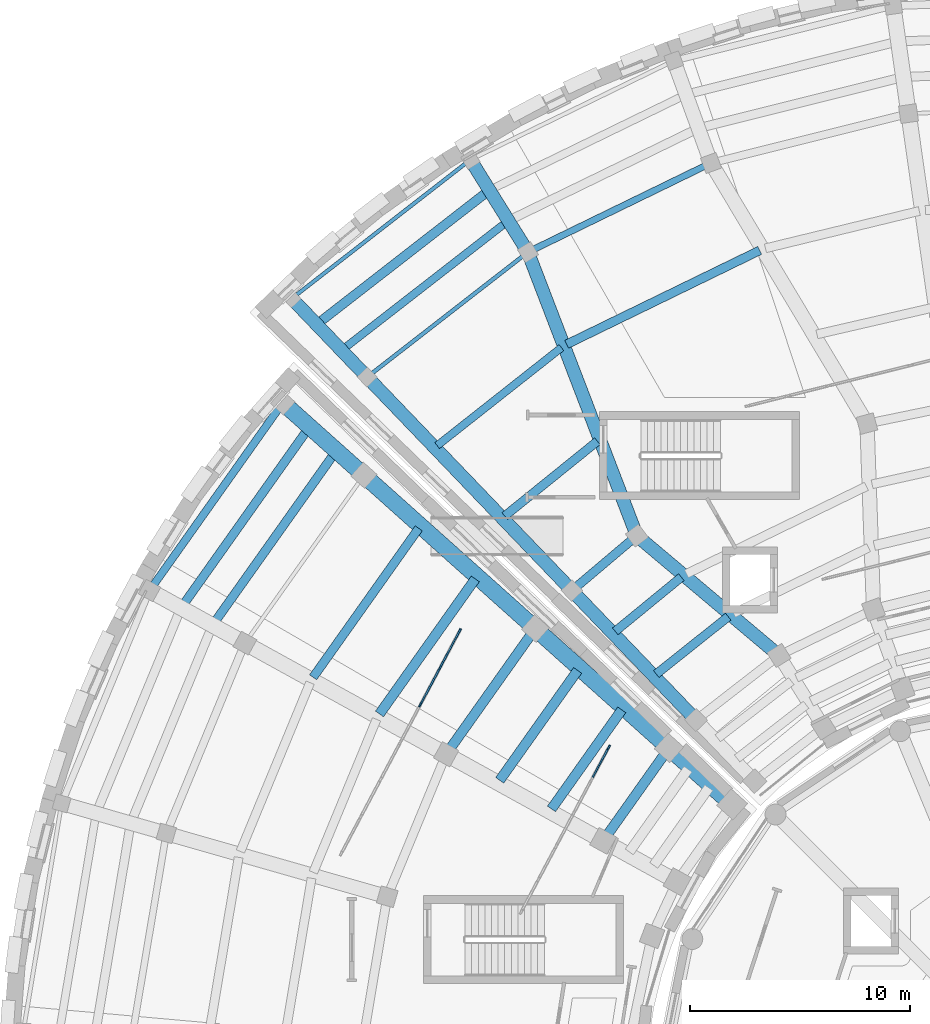
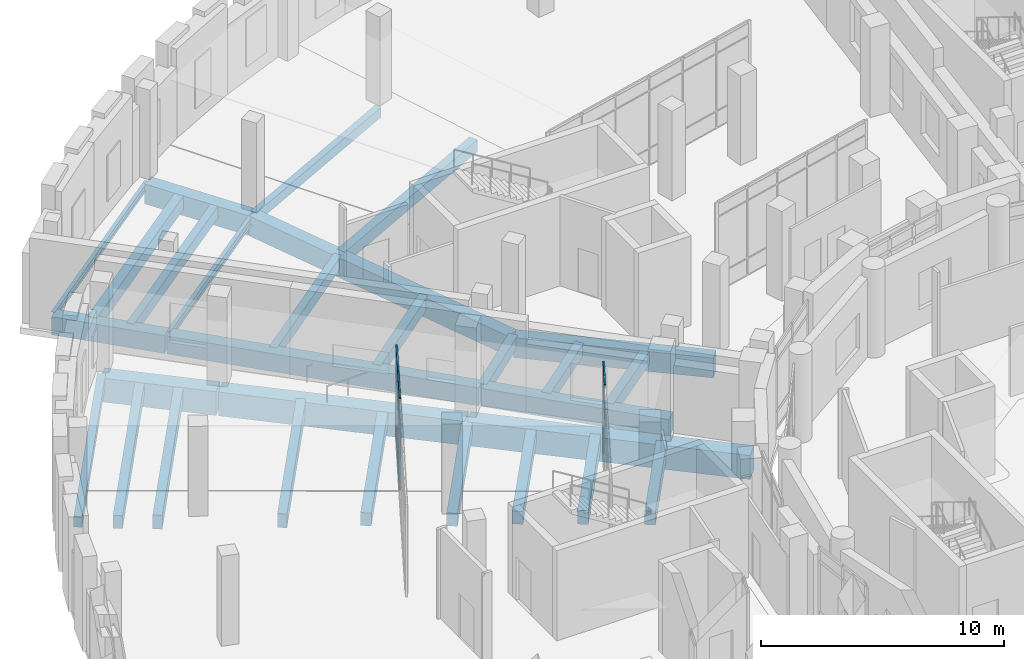
# One storey, part 28 of 89: 30 beams, 13 members, 2 elements without a shape of their own.
"""IFC4 building model written with IfcOpenShell, lengths in metres."""

from ifc_helpers import new_model, si_unit, direction, frame, origin, origin_2d, place, context, subcontext, project, spatial, rectangle, i_section, extrude, material, material_profile, profile_set, type_object, element, aggregate, save


model = new_model("IFC4")

# Units and contexts
model_context = context("Model", 3, precision=1e-05, world=origin(), true_north=direction((0.0, 1.0)))
body_context = subcontext(model_context, "Body", "Model", "MODEL_VIEW")
ifc_project = project(units=[si_unit("LENGTHUNIT", "METRE"), si_unit("AREAUNIT", "SQUARE_METRE"), si_unit("VOLUMEUNIT", "CUBIC_METRE"), si_unit("PLANEANGLEUNIT", "RADIAN"), si_unit("MASSUNIT", "GRAM", prefix="KILO")], contexts=[model_context])

# Site, building, storey
site_placement = place(None, origin())
site = spatial("IfcSite", under=ifc_project, at=site_placement, CompositionType="ELEMENT")
building_placement = place(site_placement, origin())
building = spatial("IfcBuilding", under=site, at=building_placement, Name="Soyqirgoq Riverine Aquarium", CompositionType="ELEMENT")
storey_placement = place(building_placement, frame((0.0, 0.0, 5.39990234375)))
storey = spatial("IfcBuildingStorey", under=building, at=storey_placement, Name="L02", CompositionType="ELEMENT", Elevation=5.39990234375)

# Beams
ifc_material_1 = material(Name="Concrete C40/50", Category="concrete")
ifc_material_profile_1 = material_profile(ifc_material_1, rectangle(XDim=0.35009765625, YDim=0.60009765625, at=origin_2d()), Name="RC 350x600")
ifc_profile_set_1 = profile_set([ifc_material_profile_1], Name="Concrete C40/50")
beam_type_1 = type_object("IfcBeamType", Name="Beam_RC_350x600", PredefinedType="JOIST", material=ifc_profile_set_1)
beam_1_placement = place(storey_placement, frame((33.928466796875, 90.56591796875, -0.599853515625), z_axis=(-0.785202231004, -0.619239417694, 0.0), x_axis=(0.619239417694, -0.785202231004, 0.0)))
element("IfcBeam", 1, at=beam_1_placement, inside=storey, type_object=beam_type_1, Name="V4 L02 Secondary Floor Joist 0589", PredefinedType="JOIST", context=body_context, shape_type="SweptSolid", body=[
    extrude(rectangle(XDim=0.35009765625, YDim=0.60009765625, at=origin_2d()), origin(), (0.0, 0.0, 1.0), 7.1962890625),
])
beam_2_placement = place(storey_placement, frame((31.4052734375, 96.24951171875, -0.599853515625), z_axis=(-0.789610111246, -0.6136088919, 0.0), x_axis=(0.6136088919, -0.789610111246, 0.0)))
element("IfcBeam", 2, at=beam_2_placement, inside=storey, type_object=beam_type_1, Name="V4 L02 Secondary Floor Joist 0600", PredefinedType="JOIST", context=body_context, shape_type="SweptSolid", body=[
    extrude(rectangle(XDim=0.35009765625, YDim=0.60009765625, at=origin_2d()), origin(), (0.0, 0.0, 1.0), 9.325927734375),
])
ifc_material_2 = material(Name="Concrete C40/50", Category="concrete")
ifc_material_profile_2 = material_profile(ifc_material_2, rectangle(XDim=0.39990234375, YDim=0.60009765625, at=origin_2d()), Name="RC 400x600")
ifc_profile_set_2 = profile_set([ifc_material_profile_2], Name="Concrete C40/50")
beam_type_2 = type_object("IfcBeamType", Name="Beam_RC_400x600", PredefinedType="JOIST", material=ifc_profile_set_2)
beam_3_placement = place(storey_placement, frame((39.37939453125, 80.12939453125, -0.599853515625), z_axis=(-0.773357757344, -0.633969856662, 0.0), x_axis=(0.633969856662, -0.773357757344, 0.0)))
element("IfcBeam", 3, at=beam_3_placement, inside=storey, type_object=beam_type_2, Name="V4 L02 Secondary Floor Joist 0579", PredefinedType="JOIST", context=body_context, shape_type="SweptSolid", body=[
    extrude(rectangle(XDim=0.39990234375, YDim=0.60009765625, at=origin_2d()), origin(), (0.0, 0.0, 1.0), 3.884765625),
])
beam_4_placement = place(storey_placement, frame((37.31591796875, 81.983154296875, -0.599853515625), z_axis=(-0.763221409659, -0.646137044162, 0.0), x_axis=(0.646137044162, -0.763221409659, 0.0)))
element("IfcBeam", 4, at=beam_4_placement, inside=storey, type_object=beam_type_2, Name="V4 L02 Wedge Chord Beam 0582", PredefinedType="JOIST", context=body_context, shape_type="SweptSolid", body=[
    extrude(rectangle(XDim=0.39990234375, YDim=0.60009765625, at=origin_2d()), origin(), (0.0, 0.0, 1.0), 3.763671875),
])
beam_5_placement = place(storey_placement, frame((42.94287109375, 94.98583984375, -0.599853515625), z_axis=(-0.899181906839, -0.437575020326, 0.0), x_axis=(0.437575020326, -0.899181906839, 0.0)))
element("IfcBeam", 5, at=beam_5_placement, inside=storey, type_object=beam_type_2, Name="V4 L02 Secondary Floor Joist 0587", PredefinedType="JOIST", context=body_context, shape_type="SweptSolid", body=[
    extrude(rectangle(XDim=0.39990234375, YDim=0.60009765625, at=origin_2d()), origin(), (0.0, 0.0, 1.0), 9.762939453125),
])
beam_6_placement = place(storey_placement, frame((35.5625, 86.310302734375, -0.599853515625), z_axis=(-0.777984399039, -0.628283594288, 0.0), x_axis=(0.628283594288, -0.777984399039, 0.0)))
element("IfcBeam", 6, at=beam_6_placement, inside=storey, type_object=beam_type_2, Name="V4 L02 Secondary Floor Joist 0588", PredefinedType="JOIST", context=body_context, shape_type="SweptSolid", body=[
    extrude(rectangle(XDim=0.39990234375, YDim=0.60009765625, at=origin_2d()), origin(), (0.0, 0.0, 1.0), 5.416015625),
])
ifc_material_3 = material(Name="Concrete C40/50", Category="concrete")
ifc_material_profile_3 = material_profile(ifc_material_3, rectangle(XDim=0.39990234375, YDim=0.64990234375, at=origin_2d()), Name="RC 400x650")
ifc_profile_set_3 = profile_set([ifc_material_profile_3], Name="Concrete C40/50")
beam_type_3 = type_object("IfcBeamType", Name="Beam_RC_400x650", PredefinedType="BEAM", material=ifc_profile_set_3)
beam_7_placement = place(storey_placement, frame((22.3974609375, 86.857421875, -0.625), z_axis=(-0.578552362778, -0.815645243671, 0.0), x_axis=(0.815645243671, -0.578552362778, 0.0)))
element("IfcBeam", 7, at=beam_7_placement, inside=storey, type_object=beam_type_3, Name="V3 L02 Secondary Floor Joist 0401", PredefinedType="BEAM", context=body_context, shape_type="SweptSolid", body=[
    extrude(rectangle(XDim=0.39990234375, YDim=0.64990234375, at=origin_2d()), origin(), (0.0, 0.0, 1.0), 9.822509765625),
])
beam_8_placement = place(storey_placement, frame((41.51171875, 78.33349609375, -0.625), z_axis=(-0.78199960061, -0.623278930051, 0.0), x_axis=(0.623278930051, -0.78199960061, 0.0)))
element("IfcBeam", 8, at=beam_8_placement, inside=storey, type_object=beam_type_3, Name="V4 L02 Secondary Floor Joist 0578", PredefinedType="BEAM", context=body_context, shape_type="SweptSolid", body=[
    extrude(rectangle(XDim=0.39990234375, YDim=0.64990234375, at=origin_2d()), origin(), (0.0, 0.0, 1.0), 4.18701171875),
])
ifc_material_4 = material(Name="Concrete C40/50", Category="concrete")
ifc_material_profile_4 = material_profile(ifc_material_4, rectangle(XDim=0.39990234375, YDim=0.699951171875, at=origin_2d()), Name="RC 400x700")
ifc_profile_set_4 = profile_set([ifc_material_profile_4], Name="Concrete C40/50")
beam_type_4 = type_object("IfcBeamType", Name="Beam_RC_400x700", PredefinedType="BEAM", material=ifc_profile_set_4)
beam_9_placement = place(storey_placement, frame((27.440673828125, 82.348388671875, -0.64990234375), z_axis=(-0.57857035961, -0.815632477885, 0.0), x_axis=(0.815632477885, -0.57857035961, 0.0)))
element("IfcBeam", 9, at=beam_9_placement, inside=storey, type_object=beam_type_4, Name="V3 L02 Secondary Floor Joist 0389", PredefinedType="BEAM", context=body_context, shape_type="SweptSolid", body=[
    extrude(rectangle(XDim=0.39990234375, YDim=0.699951171875, at=origin_2d()), origin(), (0.0, 0.0, 1.0), 8.302734375),
])
beam_10_placement = place(storey_placement, frame((23.615234375, 85.768798828125, -0.64990234375), z_axis=(-0.578563092145, -0.815637633026, 0.0), x_axis=(0.815637633026, -0.578563092145, 0.0)))
element("IfcBeam", 10, at=beam_10_placement, inside=storey, type_object=beam_type_4, Name="V3 L02 Secondary Floor Joist 0400", PredefinedType="BEAM", context=body_context, shape_type="SweptSolid", body=[
    extrude(rectangle(XDim=0.39990234375, YDim=0.699951171875, at=origin_2d()), origin(), (0.0, 0.0, 1.0), 9.45556640625),
])
ifc_material_5 = material(Name="Concrete C40/50", Category="concrete")
ifc_material_profile_5 = material_profile(ifc_material_5, rectangle(XDim=0.419921875, YDim=0.679931640625, at=origin_2d()), Name="RC 420x680")
ifc_profile_set_5 = profile_set([ifc_material_profile_5], Name="Concrete C40/50")
beam_type_5 = type_object("IfcBeamType", Name="Beam_RC_420x680", PredefinedType="BEAM", material=ifc_profile_set_5)
beam_11_placement = place(storey_placement, frame((30.5419921875, 97.63623046875, -0.639892578125), z_axis=(-0.789621475639, -0.613594267582, 0.0), x_axis=(0.613594267582, -0.789621475639, 0.0)))
element("IfcBeam", 11, at=beam_11_placement, inside=storey, type_object=beam_type_5, Name="V4 L02 Secondary Floor Joist 0601", PredefinedType="BEAM", context=body_context, shape_type="SweptSolid", body=[
    extrude(rectangle(XDim=0.419921875, YDim=0.679931640625, at=origin_2d()), origin(), (0.0, 0.0, 1.0), 9.664306640625),
])
ifc_material_6 = material(Name="Concrete C40/50", Category="concrete")
ifc_material_profile_6 = material_profile(ifc_material_6, rectangle(XDim=0.449951171875, YDim=0.64990234375, at=origin_2d()), Name="RC 450x650")
ifc_profile_set_6 = profile_set([ifc_material_profile_6], Name="Concrete C40/50")
beam_type_6 = type_object("IfcBeamType", Name="Beam_RC_450x650", PredefinedType="BEAM", material=ifc_profile_set_6)
beam_12_placement = place(storey_placement, frame((34.6650390625, 75.888916015625, -0.625), z_axis=(-0.578565717674, -0.815635770631, 0.0), x_axis=(0.815635770631, -0.578565717674, 0.0)))
element("IfcBeam", 12, at=beam_12_placement, inside=storey, type_object=beam_type_6, Name="V3 L02 Secondary Floor Joist 0383", PredefinedType="BEAM", context=body_context, shape_type="SweptSolid", body=[
    extrude(rectangle(XDim=0.449951171875, YDim=0.64990234375, at=origin_2d()), origin(), (0.0, 0.0, 1.0), 6.12548828125),
])
beam_13_placement = place(storey_placement, frame((32.712158203125, 77.7548828125, -0.625), z_axis=(-0.578577957478, -0.81562708827, 0.0), x_axis=(0.81562708827, -0.578577957478, 0.0)))
element("IfcBeam", 13, at=beam_13_placement, inside=storey, type_object=beam_type_6, Name="V3 L02 Wedge Chord Beam 0384", PredefinedType="BEAM", context=body_context, shape_type="SweptSolid", body=[
    extrude(rectangle(XDim=0.449951171875, YDim=0.64990234375, at=origin_2d()), origin(), (0.0, 0.0, 1.0), 6.90966796875),
])
beam_14_placement = place(storey_placement, frame((30.011474609375, 80.0498046875, -0.625), z_axis=(-0.578566097218, -0.815635501403, 0.0), x_axis=(0.815635501403, -0.578566097218, 0.0)))
element("IfcBeam", 14, at=beam_14_placement, inside=storey, type_object=beam_type_6, Name="V3 L02 Secondary Floor Joist 0388", PredefinedType="BEAM", context=body_context, shape_type="SweptSolid", body=[
    extrude(rectangle(XDim=0.449951171875, YDim=0.64990234375, at=origin_2d()), origin(), (0.0, 0.0, 1.0), 7.528076171875),
])
ifc_material_7 = material(Name="Concrete C40/50", Category="concrete")
ifc_material_profile_7 = material_profile(ifc_material_7, rectangle(XDim=0.449951171875, YDim=0.699951171875, at=origin_2d()), Name="RC 450x700")
ifc_profile_set_7 = profile_set([ifc_material_profile_7], Name="Concrete C40/50")
beam_type_7 = type_object("IfcBeamType", Name="Beam_RC_450x700", PredefinedType="BEAM", material=ifc_profile_set_7)
beam_15_placement = place(storey_placement, frame((38.787841796875, 72.32275390625, -0.64990234375), z_axis=(-0.578584051574, -0.815622765293, 0.0), x_axis=(0.815622765293, -0.578584051574, 0.0)))
element("IfcBeam", 15, at=beam_15_placement, inside=storey, type_object=beam_type_7, Name="V3 L02 Wedge Chord Beam 0381", PredefinedType="BEAM", context=body_context, shape_type="SweptSolid", body=[
    extrude(rectangle(XDim=0.449951171875, YDim=0.699951171875, at=origin_2d()), origin(), (0.0, 0.0, 1.0), 5.078857421875),
])
beam_16_placement = place(storey_placement, frame((36.670166015625, 74.096435546875, -0.64990234375), z_axis=(-0.578579091577, -0.815626283778, 0.0), x_axis=(0.815626283778, -0.578579091577, 0.0)))
element("IfcBeam", 16, at=beam_16_placement, inside=storey, type_object=beam_type_7, Name="V3 L02 Secondary Floor Joist 0382", PredefinedType="BEAM", context=body_context, shape_type="SweptSolid", body=[
    extrude(rectangle(XDim=0.449951171875, YDim=0.699951171875, at=origin_2d()), origin(), (0.0, 0.0, 1.0), 5.521484375),
])

# Curtain wall, member
ifc_material_8 = material(Name="Cast polymethyl methacrylate PMMA Habitat Viewing Glazing", Category="glass")
curtain_wall_type = type_object("IfcCurtainWallType", Name="CW_Interior_TankVitrine", PredefinedType="NOTDEFINED", material=ifc_material_8)
curtain_wall_1_placement = place(storey_placement, origin())
curtain_wall_1 = element("IfcCurtainWall", 17, at=curtain_wall_1_placement, inside=storey, type_object=curtain_wall_type, Name="V3 L02 Curtain Wall 149", PredefinedType="NOTDEFINED")
ifc_material_9 = material(Name="Anodised aluminium 6063-T6", Category="aluminium")
ifc_material_profile_8 = material_profile(ifc_material_9, rectangle(XDim=0.080078125, YDim=0.219970703125, at=origin_2d()), Name="ALU-M 80x220")
ifc_profile_set_8 = profile_set([ifc_material_profile_8], Name="Anodised aluminium 6063-T6")
member_type_1 = type_object("IfcMemberType", Name="CWMullion_80x220", PredefinedType="MULLION", material=ifc_profile_set_8)
member_1_placement = place(storey_placement, frame((36.076416015625, 72.39111328125, 0.0), z_axis=(0.0, 0.0, 1.0), x_axis=(0.882946853562, -0.469472953199, 0.0)))
member_1 = element("IfcMember", 18, at=member_1_placement, type_object=member_type_1, Name="CW-07 mullion 1", PredefinedType="MULLION", context=body_context, shape_type="SweptSolid", body=[
    extrude(rectangle(XDim=0.080078125, YDim=0.219970703125, at=origin_2d()), origin(), (0.0, 0.0, 1.0), 4.52001953125),
])

# Curtain wall, members
curtain_wall_2_placement = place(storey_placement, origin())
curtain_wall_2 = element("IfcCurtainWall", 19, at=curtain_wall_2_placement, inside=storey, type_object=curtain_wall_type, Name="V3 L02 Curtain Wall 150", PredefinedType="NOTDEFINED")
member_2_placement = place(storey_placement, frame((29.299560546875, 77.685791015625, 0.0), z_axis=(0.0, 0.0, 1.0), x_axis=(0.88294600104, -0.46947455655, 0.0)))
member_2 = element("IfcMember", 20, at=member_2_placement, type_object=member_type_1, Name="CW-07 mullion 1", PredefinedType="MULLION", context=body_context, shape_type="SweptSolid", body=[
    extrude(rectangle(XDim=0.080078125, YDim=0.219970703125, at=origin_2d()), origin(), (0.0, 0.0, 1.0), 4.52001953125),
])
member_3_placement = place(storey_placement, frame((28.41552734375, 76.023193359375, 0.0), z_axis=(0.0, 0.0, 1.0), x_axis=(0.88294600104, -0.46947455655, 0.0)))
member_3 = element("IfcMember", 21, at=member_3_placement, type_object=member_type_1, Name="CW-07 mullion 2", PredefinedType="MULLION", context=body_context, shape_type="SweptSolid", body=[
    extrude(rectangle(XDim=0.080078125, YDim=0.219970703125, at=origin_2d()), origin(), (0.0, 0.0, 1.0), 4.52001953125),
])
member_4_placement = place(storey_placement, frame((27.5126953125, 74.3251953125, 0.0), z_axis=(0.0, 0.0, 1.0), x_axis=(0.88294600104, -0.46947455655, 0.0)))
member_4 = element("IfcMember", 22, at=member_4_placement, type_object=member_type_1, Name="CW-07 mullion 3", PredefinedType="MULLION", context=body_context, shape_type="SweptSolid", body=[
    extrude(rectangle(XDim=0.080078125, YDim=0.219970703125, at=origin_2d()), origin(), (0.0, 0.0, 1.0), 4.52001953125),
])

# Member
ifc_material_10 = material(Name="Anodised aluminium 6063-T6", Category="aluminium")
ifc_material_profile_9 = material_profile(ifc_material_10, rectangle(XDim=0.074951171875, YDim=0.14990234375, at=origin_2d()), Name="ALU-T 75x150")
ifc_profile_set_9 = profile_set([ifc_material_profile_9], Name="Anodised aluminium 6063-T6")
member_type_2 = type_object("IfcMemberType", Name="CWTransom_75x150", PredefinedType="USERDEFINED", material=ifc_profile_set_9)
member_5_placement = place(storey_placement, frame((36.0576171875, 72.355712890625, 4.482666015625), z_axis=(-0.46942457219, -0.882972576598, 0.0), x_axis=(0.882972576598, -0.46942457219, 0.0)))
member_5 = element("IfcMember", 23, at=member_5_placement, type_object=member_type_2, Name="CW-07 transom 1.4", ObjectType="TRANSOM", PredefinedType="USERDEFINED", context=body_context, shape_type="SweptSolid", body=[
    extrude(rectangle(XDim=0.074951171875, YDim=0.14990234375, at=origin_2d()), origin(), (0.0, 0.0, 1.0), 1.59033203125),
])

aggregate(curtain_wall_1, [member_1, member_5])

member_6_placement = place(storey_placement, frame((29.28076171875, 77.650390625, 0.03759765625), z_axis=(-0.469442300966, -0.882963151023, 0.0), x_axis=(0.882963151023, -0.469442300966, 0.0)))
member_6 = element("IfcMember", 24, at=member_6_placement, type_object=member_type_2, Name="CW-07 transom 1.1", ObjectType="TRANSOM", PredefinedType="USERDEFINED", context=body_context, shape_type="SweptSolid", body=[
    extrude(rectangle(XDim=0.074951171875, YDim=0.14990234375, at=origin_2d()), origin(), (0.0, 0.0, 1.0), 1.802978515625),
])

member_7_placement = place(storey_placement, frame((29.28076171875, 77.650390625, 0.900146484375), z_axis=(-0.469442300966, -0.882963151023, 0.0), x_axis=(0.882963151023, -0.469442300966, 0.0)))
member_7 = element("IfcMember", 25, at=member_7_placement, type_object=member_type_2, Name="CW-07 transom 1.2", ObjectType="TRANSOM", PredefinedType="USERDEFINED", context=body_context, shape_type="SweptSolid", body=[
    extrude(rectangle(XDim=0.074951171875, YDim=0.14990234375, at=origin_2d()), origin(), (0.0, 0.0, 1.0), 1.802978515625),
])

member_8_placement = place(storey_placement, frame((29.28076171875, 77.650390625, 3.820068359375), z_axis=(-0.469442300966, -0.882963151023, 0.0), x_axis=(0.882963151023, -0.469442300966, 0.0)))
member_8 = element("IfcMember", 26, at=member_8_placement, type_object=member_type_2, Name="CW-07 transom 1.3", ObjectType="TRANSOM", PredefinedType="USERDEFINED", context=body_context, shape_type="SweptSolid", body=[
    extrude(rectangle(XDim=0.074951171875, YDim=0.14990234375, at=origin_2d()), origin(), (0.0, 0.0, 1.0), 1.802978515625),
])

member_9_placement = place(storey_placement, frame((29.28076171875, 77.650390625, 4.482666015625), z_axis=(-0.469442300966, -0.882963151023, 0.0), x_axis=(0.882963151023, -0.469442300966, 0.0)))
member_9 = element("IfcMember", 27, at=member_9_placement, type_object=member_type_2, Name="CW-07 transom 1.4", ObjectType="TRANSOM", PredefinedType="USERDEFINED", context=body_context, shape_type="SweptSolid", body=[
    extrude(rectangle(XDim=0.074951171875, YDim=0.14990234375, at=origin_2d()), origin(), (0.0, 0.0, 1.0), 1.802978515625),
])

member_10_placement = place(storey_placement, frame((28.396728515625, 75.98779296875, 0.03759765625), z_axis=(-0.469432830897, -0.88296818588, 0.0), x_axis=(0.88296818588, -0.469432830897, 0.0)))
member_10 = element("IfcMember", 28, at=member_10_placement, type_object=member_type_2, Name="CW-07 transom 2.1", ObjectType="TRANSOM", PredefinedType="USERDEFINED", context=body_context, shape_type="SweptSolid", body=[
    extrude(rectangle(XDim=0.074951171875, YDim=0.14990234375, at=origin_2d()), origin(), (0.0, 0.0, 1.0), 1.84326171875),
])

member_11_placement = place(storey_placement, frame((28.396728515625, 75.98779296875, 0.900146484375), z_axis=(-0.469432830897, -0.88296818588, 0.0), x_axis=(0.88296818588, -0.469432830897, 0.0)))
member_11 = element("IfcMember", 29, at=member_11_placement, type_object=member_type_2, Name="CW-07 transom 2.2", ObjectType="TRANSOM", PredefinedType="USERDEFINED", context=body_context, shape_type="SweptSolid", body=[
    extrude(rectangle(XDim=0.074951171875, YDim=0.14990234375, at=origin_2d()), origin(), (0.0, 0.0, 1.0), 1.84326171875),
])

member_12_placement = place(storey_placement, frame((28.396728515625, 75.98779296875, 3.820068359375), z_axis=(-0.469432830897, -0.88296818588, 0.0), x_axis=(0.88296818588, -0.469432830897, 0.0)))
member_12 = element("IfcMember", 30, at=member_12_placement, type_object=member_type_2, Name="CW-07 transom 2.3", ObjectType="TRANSOM", PredefinedType="USERDEFINED", context=body_context, shape_type="SweptSolid", body=[
    extrude(rectangle(XDim=0.074951171875, YDim=0.14990234375, at=origin_2d()), origin(), (0.0, 0.0, 1.0), 1.84326171875),
])

member_13_placement = place(storey_placement, frame((28.396728515625, 75.98779296875, 4.482666015625), z_axis=(-0.469432830897, -0.88296818588, 0.0), x_axis=(0.88296818588, -0.469432830897, 0.0)))
member_13 = element("IfcMember", 31, at=member_13_placement, type_object=member_type_2, Name="CW-07 transom 2.4", ObjectType="TRANSOM", PredefinedType="USERDEFINED", context=body_context, shape_type="SweptSolid", body=[
    extrude(rectangle(XDim=0.074951171875, YDim=0.14990234375, at=origin_2d()), origin(), (0.0, 0.0, 1.0), 1.84326171875),
])

aggregate(curtain_wall_2, [member_2, member_3, member_4, member_6, member_7, member_8, member_9, member_10, member_11, member_12, member_13])

# Beams
ifc_material_11 = material(Name="Concrete C40/50", Category="concrete")
ifc_material_profile_10 = material_profile(ifc_material_11, rectangle(XDim=0.60009765625, YDim=1.0, at=origin_2d()), Name="RC 600x1000")
ifc_profile_set_10 = profile_set([ifc_material_profile_10], Name="Concrete C40/50")
beam_type_8 = type_object("IfcBeamType", Name="Girder_RC_600x1000", PredefinedType="BEAM", material=ifc_profile_set_10)
beam_17_placement = place(storey_placement, frame((43.78125, 76.60107421875, -0.7998046875), z_axis=(-0.764796747937, 0.644271630871, 0.0), x_axis=(-0.644271630871, -0.764796747937, 0.0)))
element("IfcBeam", 32, at=beam_17_placement, inside=storey, type_object=beam_type_8, Name="V4 L02 Wedge Radial Girder 0549", PredefinedType="BEAM", context=body_context, shape_type="SweptSolid", body=[
    extrude(rectangle(XDim=0.60009765625, YDim=1.0, at=origin_2d()), origin(), (0.0, 0.0, 1.0), 8.353759765625),
])
beam_18_placement = place(storey_placement, frame((37.336181640625, 82.06201171875, -0.7998046875), z_axis=(-0.358396623266, 0.933569419182, 0.0), x_axis=(-0.933569419182, -0.358396623266, 0.0)))
element("IfcBeam", 33, at=beam_18_placement, inside=storey, type_object=beam_type_8, Name="V4 L02 Wedge Radial Girder 0550", PredefinedType="BEAM", context=body_context, shape_type="SweptSolid", body=[
    extrude(rectangle(XDim=0.60009765625, YDim=1.0, at=origin_2d()), origin(), (0.0, 0.0, 1.0), 13.70849609375),
])
beam_19_placement = place(storey_placement, frame((32.37890625, 94.948974609375, -0.7998046875), z_axis=(-0.5284325153, 0.848975309873, 0.0), x_axis=(-0.848975309873, -0.5284325153, 0.0)))
element("IfcBeam", 34, at=beam_19_placement, inside=storey, type_object=beam_type_8, Name="V4 L02 Wedge Radial Girder 0551", PredefinedType="BEAM", context=body_context, shape_type="SweptSolid", body=[
    extrude(rectangle(XDim=0.60009765625, YDim=1.0, at=origin_2d()), origin(), (0.0, 0.0, 1.0), 4.85009765625),
])
ifc_material_12 = material(Name="Concrete C40/50", Category="concrete")
ifc_material_profile_11 = material_profile(ifc_material_12, rectangle(XDim=0.60009765625, YDim=0.89990234375, at=origin_2d()), Name="RC 600x900")
ifc_profile_set_11 = profile_set([ifc_material_profile_11], Name="Concrete C40/50")
beam_type_9 = type_object("IfcBeamType", Name="Girder_RC_600x900", PredefinedType="BEAM", material=ifc_profile_set_11)
beam_20_placement = place(storey_placement, frame((40.011474609375, 73.672607421875, -0.75), z_axis=(-0.692136531124, 0.721766598204, 0.0), x_axis=(-0.721766598204, -0.692136531124, 0.0)))
element("IfcBeam", 35, at=beam_20_placement, inside=storey, type_object=beam_type_9, Name="V4 L02 Wedge Radial Girder 0553", PredefinedType="BEAM", context=body_context, shape_type="SweptSolid", body=[
    extrude(rectangle(XDim=0.60009765625, YDim=0.89990234375, at=origin_2d()), origin(), (0.0, 0.0, 1.0), 8.050048828125),
])
beam_21_placement = place(storey_placement, frame((34.37060546875, 79.554931640625, -0.75), z_axis=(-0.69214801098, 0.721755589446, 0.0), x_axis=(-0.721755589446, -0.69214801098, 0.0)))
element("IfcBeam", 36, at=beam_21_placement, inside=storey, type_object=beam_type_9, Name="V4 L02 Wedge Radial Girder 0554", PredefinedType="BEAM", context=body_context, shape_type="SweptSolid", body=[
    extrude(rectangle(XDim=0.60009765625, YDim=0.89990234375, at=origin_2d()), origin(), (0.0, 0.0, 1.0), 13.35009765625),
])
beam_22_placement = place(storey_placement, frame((25.061279296875, 89.2626953125, -0.75), z_axis=(-0.69215241344, 0.721751367556, 0.0), x_axis=(-0.721751367556, -0.69215241344, 0.0)))
element("IfcBeam", 37, at=beam_22_placement, inside=storey, type_object=beam_type_9, Name="V4 L02 Wedge Radial Girder 0555", PredefinedType="BEAM", context=body_context, shape_type="SweptSolid", body=[
    extrude(rectangle(XDim=0.60009765625, YDim=0.89990234375, at=origin_2d()), origin(), (0.0, 0.0, 1.0), 4.85009765625),
])
ifc_material_13 = material(Name="Concrete C40/50", Category="concrete")
ifc_material_profile_12 = material_profile(ifc_material_13, rectangle(XDim=0.75, YDim=1.199951171875, at=origin_2d()), Name="RC 750x1200")
ifc_profile_set_12 = profile_set([ifc_material_profile_12], Name="Concrete C40/50")
beam_type_10 = type_object("IfcBeamType", Name="Girder_RC_750x1200", PredefinedType="BEAM", material=ifc_profile_set_12)
beam_23_placement = place(storey_placement, frame((41.649658203125, 69.830810546875, -0.89990234375), z_axis=(-0.745488150962, 0.666518879534, 0.0), x_axis=(-0.666518879534, -0.745488150962, 0.0)))
element("IfcBeam", 38, at=beam_23_placement, inside=storey, type_object=beam_type_10, Name="V3 L02 Wedge Radial Girder 0358", PredefinedType="BEAM", context=body_context, shape_type="SweptSolid", body=[
    extrude(rectangle(XDim=0.75, YDim=1.199951171875, at=origin_2d()), origin(), (0.0, 0.0, 1.0), 3.75),
])
beam_24_placement = place(storey_placement, frame((38.779541015625, 72.39697265625, -0.89990234375), z_axis=(-0.745490323656, 0.666516449411, 0.0), x_axis=(-0.666516449411, -0.745490323656, 0.0)))
element("IfcBeam", 39, at=beam_24_placement, inside=storey, type_object=beam_type_10, Name="V3 L02 Wedge Radial Girder 0359", PredefinedType="BEAM", context=body_context, shape_type="SweptSolid", body=[
    extrude(rectangle(XDim=0.75, YDim=1.199951171875, at=origin_2d()), origin(), (0.0, 0.0, 1.0), 8.050048828125),
])
beam_25_placement = place(storey_placement, frame((32.703857421875, 77.8291015625, -0.89990234375), z_axis=(-0.745468300853, 0.666541080822, 0.0), x_axis=(-0.666541080822, -0.745468300853, 0.0)))
element("IfcBeam", 40, at=beam_25_placement, inside=storey, type_object=beam_type_10, Name="V3 L02 Wedge Radial Girder 0360", PredefinedType="BEAM", context=body_context, shape_type="SweptSolid", body=[
    extrude(rectangle(XDim=0.75, YDim=1.199951171875, at=origin_2d()), origin(), (0.0, 0.0, 1.0), 10.349853515625),
])
beam_26_placement = place(storey_placement, frame((24.91357421875, 84.79443359375, -0.89990234375), z_axis=(-0.745470350747, 0.666538788186, 0.0), x_axis=(-0.666538788186, -0.745470350747, 0.0)))
element("IfcBeam", 41, at=beam_26_placement, inside=storey, type_object=beam_type_10, Name="V3 L02 Wedge Radial Girder 0361", PredefinedType="BEAM", context=body_context, shape_type="SweptSolid", body=[
    extrude(rectangle(XDim=0.75, YDim=1.199951171875, at=origin_2d()), origin(), (0.0, 0.0, 1.0), 4.849853515625),
])
ifc_material_14 = material(Name="Concrete C40/50", Category="concrete")
ifc_material_profile_13 = material_profile(ifc_material_14, rectangle(XDim=0.300048828125, YDim=0.5, at=origin_2d()), Name="RC 300x500")
ifc_profile_set_13 = profile_set([ifc_material_profile_13], Name="Concrete C40/50")
beam_type_11 = type_object("IfcBeamType", Name="Spandrel_RC_300x500", PredefinedType="SPANDREL", material=ifc_profile_set_13)
beam_27_placement = place(storey_placement, frame((40.683837890625, 98.935302734375, -0.5498046875), z_axis=(-0.89918008806, -0.437578757753, 0.0), x_axis=(0.437578757753, -0.89918008806, 0.0)))
element("IfcBeam", 42, at=beam_27_placement, inside=storey, type_object=beam_type_11, Name="V4 L02 Wedge Chord Beam 0592", PredefinedType="SPANDREL", context=body_context, shape_type="SweptSolid", body=[
    extrude(rectangle(XDim=0.300048828125, YDim=0.5, at=origin_2d()), origin(), (0.0, 0.0, 1.0), 9.15673828125),
])
ifc_material_15 = material(Name="Concrete C40/50", Category="concrete")
ifc_material_profile_14 = material_profile(ifc_material_15, rectangle(XDim=0.35009765625, YDim=0.5, at=origin_2d()), Name="RC 350x500")
ifc_profile_set_14 = profile_set([ifc_material_profile_14], Name="Concrete C40/50")
beam_type_12 = type_object("IfcBeamType", Name="Spandrel_RC_350x500", PredefinedType="SPANDREL", material=ifc_profile_set_14)
beam_28_placement = place(storey_placement, frame((21.23193359375, 88.01953125, -0.5498046875), z_axis=(-0.578569198652, -0.815633301412, 0.0), x_axis=(0.815633301412, -0.578569198652, 0.0)))
element("IfcBeam", 43, at=beam_28_placement, inside=storey, type_object=beam_type_12, Name="V3 L02 Wedge Chord Beam 0408", PredefinedType="SPANDREL", context=body_context, shape_type="SweptSolid", body=[
    extrude(rectangle(XDim=0.35009765625, YDim=0.5, at=origin_2d()), origin(), (0.0, 0.0, 1.0), 10.36962890625),
])
ifc_material_16 = material(Name="Structural steel S355", Category="steel")
ifc_material_profile_15 = material_profile(ifc_material_16, i_section(OverallWidth=0.169921875, OverallDepth=0.360107421875, WebThickness=0.008056640625, FlangeThickness=0.0126953125, FilletRadius=0.01806640625, at=origin_2d()), Name="IPE 360")
ifc_profile_set_15 = profile_set([ifc_material_profile_15], Name="Structural steel S355")
beam_type_13 = type_object("IfcBeamType", Name="Spandrel_Steel_IPE360", PredefinedType="SPANDREL", material=ifc_profile_set_15)
beam_29_placement = place(storey_placement, frame((29.75, 99.078369140625, -0.47998046875), z_axis=(-0.78962066325, -0.613595313027, 0.0), x_axis=(0.613595313027, -0.78962066325, 0.0)))
element("IfcBeam", 44, at=beam_29_placement, inside=storey, type_object=beam_type_13, Name="V4 L02 Wedge Chord Beam 0605", PredefinedType="SPANDREL", context=body_context, shape_type="SweptSolid", body=[
    extrude(i_section(OverallWidth=0.169921875, OverallDepth=0.360107421875, WebThickness=0.008056640625, FlangeThickness=0.0126953125, FilletRadius=0.01806640625, at=origin_2d()), origin(), (0.0, 0.0, 1.0), 10.18310546875),
])
ifc_material_17 = material(Name="Structural steel S355", Category="steel")
ifc_material_profile_16 = material_profile(ifc_material_17, i_section(OverallWidth=0.179931640625, OverallDepth=0.39990234375, WebThickness=0.008544921875, FlangeThickness=0.013427734375, FilletRadius=0.02099609375, at=origin_2d()), Name="IPE 400")
ifc_profile_set_16 = profile_set([ifc_material_profile_16], Name="Structural steel S355")
beam_type_14 = type_object("IfcBeamType", Name="Spandrel_Steel_IPE400", PredefinedType="SPANDREL", material=ifc_profile_set_16)
beam_30_placement = place(storey_placement, frame((32.36572265625, 94.8759765625, -0.5), z_axis=(-0.789619172012, -0.61359723206, 0.0), x_axis=(0.61359723206, -0.789619172012, 0.0)))
element("IfcBeam", 45, at=beam_30_placement, inside=storey, type_object=beam_type_14, Name="V4 L02 Wedge Chord Beam 0593", PredefinedType="SPANDREL", context=body_context, shape_type="SweptSolid", body=[
    extrude(i_section(OverallWidth=0.179931640625, OverallDepth=0.39990234375, WebThickness=0.008544921875, FlangeThickness=0.013427734375, FilletRadius=0.02099609375, at=origin_2d()), origin(), (0.0, 0.0, 1.0), 9.156982421875),
])

save(model, "model.ifc")
